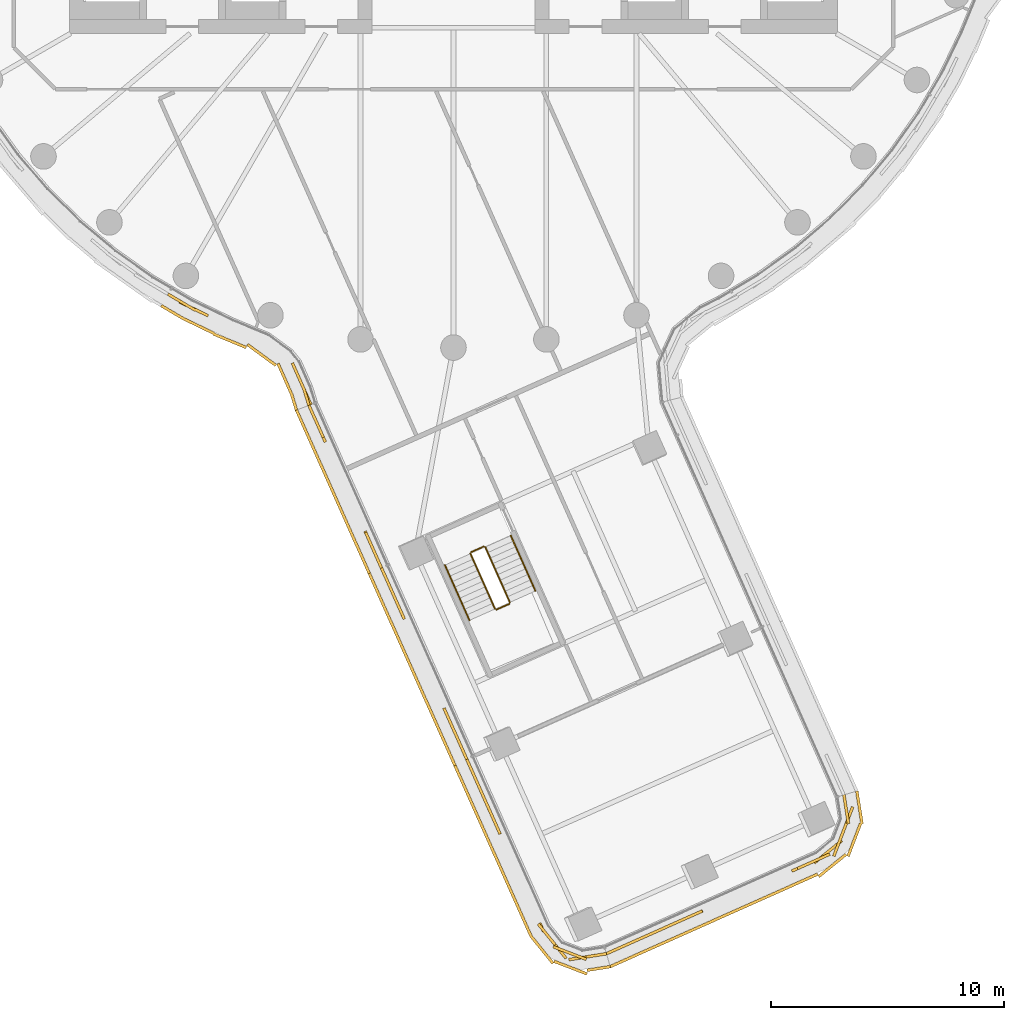
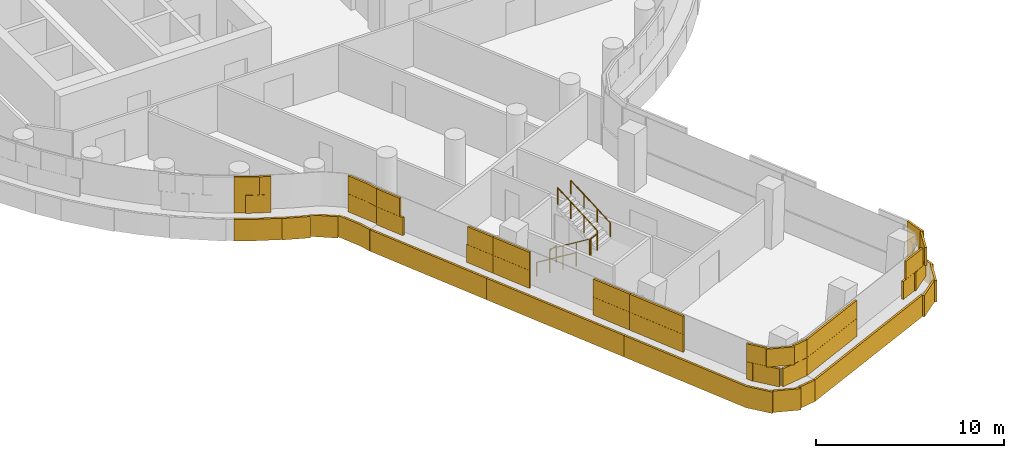
# One storey, part 28 of 35: 6 railings, 5 coverings.
"""IFC4 building model written with IfcOpenShell, lengths in metres."""

from ifc_helpers import new_model, si_unit, direction, frame, origin, origin_2d, place, context, subcontext, project, spatial, rectangle, circle, extrude, material, layer, layer_set, type_object, element, save


model = new_model("IFC4")

# Units and contexts
model_context = context("Model", 3, precision=1e-05, world=origin(), true_north=direction((0.0, 1.0)))
body_context = subcontext(model_context, "Body", "Model", "MODEL_VIEW")
ifc_project = project(units=[si_unit("LENGTHUNIT", "METRE"), si_unit("AREAUNIT", "SQUARE_METRE"), si_unit("VOLUMEUNIT", "CUBIC_METRE"), si_unit("PLANEANGLEUNIT", "RADIAN"), si_unit("MASSUNIT", "GRAM", prefix="KILO")], contexts=[model_context])

# Site, building, storey
site_placement = place(None, origin())
site = spatial("IfcSite", under=ifc_project, at=site_placement, CompositionType="ELEMENT")
building_placement = place(site_placement, origin())
building = spatial("IfcBuilding", under=site, at=building_placement, Name="Tamarind Cross Interchange Tower", CompositionType="ELEMENT")
storey_placement = place(building_placement, frame((0.0, 0.0, 121.0)))
storey = spatial("IfcBuildingStorey", under=building, at=storey_placement, Name="L29", CompositionType="ELEMENT", Elevation=121.0)

# Railings
ifc_material_1 = material(Name="Stair guard")
railing_type_1 = type_object("IfcRailingType", Name="Stair guard", PredefinedType="GUARDRAIL", material=ifc_material_1)
railing_1_placement = place(storey_placement, frame((0.7275390625, -31.858154296875, 0.17041015625)))
element("IfcRailing", 1, at=railing_1_placement, inside=storey, type_object=railing_type_1, Name="L29 ST6 stair guard 1", PredefinedType="GUARDRAIL", context=body_context, shape_type="SweptSolid", body=[
    extrude(circle(Radius=0.02392578125, at=origin_2d()), frame((0.0, 0.0, 1.076171875), z_axis=(0.340565711591, -0.763818924751, 0.548266036045), x_axis=(0.913326899463, 0.407227178264, 0.0)), (0.0, 0.0, 1.0), 3.109130859375),
    extrude(circle(Radius=0.02099609375, at=origin_2d()), origin(), (0.0, 0.0, 1.0), 1.052001953125),
    extrude(circle(Radius=0.02099609375, at=origin_2d()), frame((0.35302734375, -0.79150390625, 0.568115234375)), (0.0, 0.0, 1.0), 1.052001953125),
    extrude(circle(Radius=0.02099609375, at=origin_2d()), frame((0.705810546875, -1.583251953125, 1.136474609375)), (0.0, 0.0, 1.0), 1.052001953125),
    extrude(circle(Radius=0.02099609375, at=origin_2d()), frame((1.058837890625, -2.374755859375, 1.70458984375)), (0.0, 0.0, 1.0), 1.052001953125),
])
railing_2_placement = place(storey_placement, frame((1.852294921875, -34.258056640625, 1.875)))
element("IfcRailing", 2, at=railing_2_placement, inside=storey, type_object=railing_type_1, Name="L29 ST6 stair guard 2", PredefinedType="GUARDRAIL", context=body_context, shape_type="SweptSolid", body=[
    extrude(circle(Radius=0.02392578125, at=origin_2d()), frame((0.0, 0.0, 1.076171875), z_axis=(0.913324379404, 0.407232830193, 0.0), x_axis=(-0.407232830193, 0.913324379404, 0.0)), (0.0, 0.0, 1.0), 0.60009765625),
    extrude(circle(Radius=0.02099609375, at=origin_2d()), origin(), (0.0, 0.0, 1.0), 1.052001953125),
    extrude(circle(Radius=0.02099609375, at=origin_2d()), frame((0.548095703125, 0.244384765625, 0.0)), (0.0, 0.0, 1.0), 1.052001953125),
])
railing_3_placement = place(storey_placement, frame((2.425537109375, -33.94775390625, 2.04541015625)))
element("IfcRailing", 3, at=railing_3_placement, inside=storey, type_object=railing_type_1, Name="L29 ST6 stair guard 3", PredefinedType="GUARDRAIL", context=body_context, shape_type="SweptSolid", body=[
    extrude(circle(Radius=0.02392578125, at=origin_2d()), frame((0.0, 0.0, 1.076171875), z_axis=(-0.340496290961, 0.763839350133, 0.548280697299), x_axis=(-0.913361820343, -0.407148848875, 0.0)), (0.0, 0.0, 1.0), 3.10888671875),
    extrude(circle(Radius=0.02099609375, at=origin_2d()), origin(), (0.0, 0.0, 1.0), 1.052001953125),
    extrude(circle(Radius=0.02099609375, at=origin_2d()), frame((-0.352783203125, 0.79150390625, 0.568115234375)), (0.0, 0.0, 1.0), 1.052001953125),
    extrude(circle(Radius=0.02099609375, at=origin_2d()), frame((-0.705810546875, 1.583251953125, 1.136474609375)), (0.0, 0.0, 1.0), 1.052001953125),
    extrude(circle(Radius=0.02099609375, at=origin_2d()), frame((-1.05859375, 2.374755859375, 1.70458984375)), (0.0, 0.0, 1.0), 1.052001953125),
])
railing_4_placement = place(storey_placement, frame((0.7529296875, -31.792236328125, 0.0)))
element("IfcRailing", 4, at=railing_4_placement, inside=storey, type_object=railing_type_1, Name="L29 ST6 stair guard 4", PredefinedType="GUARDRAIL", context=body_context, shape_type="SweptSolid", body=[
    extrude(circle(Radius=0.02392578125, at=origin_2d()), frame((0.0, 0.0, 1.076171875), z_axis=(0.913256874337, 0.407384193945, 0.0), x_axis=(-0.407384193945, 0.913256874337, 0.0)), (0.0, 0.0, 1.0), 0.599853515625),
    extrude(circle(Radius=0.02099609375, at=origin_2d()), origin(), (0.0, 0.0, 1.0), 1.052001953125),
    extrude(circle(Radius=0.02099609375, at=origin_2d()), frame((0.5478515625, 0.244384765625, 0.0)), (0.0, 0.0, 1.0), 1.052001953125),
])
ifc_material_2 = material(Name="Stair handrail")
railing_type_2 = type_object("IfcRailingType", Name="Stair handrail", PredefinedType="HANDRAIL", material=ifc_material_2)
railing_5_placement = place(storey_placement, frame((-0.368408203125, -32.346923828125, 0.17041015625)))
element("IfcRailing", 5, at=railing_5_placement, inside=storey, type_object=railing_type_2, Name="L29 ST6 stair handrail 1", PredefinedType="HANDRAIL", context=body_context, shape_type="SweptSolid", body=[
    extrude(circle(Radius=0.02392578125, at=origin_2d()), frame((0.0, 0.0, 0.8759765625), z_axis=(0.340516715594, -0.763806636502, 0.548313585858), x_axis=(0.913346252579, 0.407183770428, 0.0)), (0.0, 0.0, 1.0), 3.10888671875),
    extrude(circle(Radius=0.02099609375, at=origin_2d()), origin(), (0.0, 0.0, 1.0), 0.851806640625),
    extrude(circle(Radius=0.02099609375, at=origin_2d()), frame((0.352783203125, -0.79150390625, 0.568115234375)), (0.0, 0.0, 1.0), 0.851806640625),
    extrude(circle(Radius=0.02099609375, at=origin_2d()), frame((0.705810546875, -1.5830078125, 1.136474609375)), (0.0, 0.0, 1.0), 0.851806640625),
    extrude(circle(Radius=0.02099609375, at=origin_2d()), frame((1.05859375, -2.37451171875, 1.70458984375)), (0.0, 0.0, 1.0), 0.851806640625),
])
railing_6_placement = place(storey_placement, frame((3.521484375, -33.458984375, 2.04541015625)))
element("IfcRailing", 6, at=railing_6_placement, inside=storey, type_object=railing_type_2, Name="L29 ST6 stair handrail 2", PredefinedType="HANDRAIL", context=body_context, shape_type="SweptSolid", body=[
    extrude(circle(Radius=0.02392578125, at=origin_2d()), frame((0.0, 0.0, 0.8759765625), z_axis=(-0.340516715594, 0.763806636502, 0.548313585858), x_axis=(-0.913346252579, -0.407183770428, 0.0)), (0.0, 0.0, 1.0), 3.10888671875),
    extrude(circle(Radius=0.02099609375, at=origin_2d()), origin(), (0.0, 0.0, 1.0), 0.851806640625),
    extrude(circle(Radius=0.02099609375, at=origin_2d()), frame((-0.352783203125, 0.79150390625, 0.568115234375)), (0.0, 0.0, 1.0), 0.851806640625),
    extrude(circle(Radius=0.02099609375, at=origin_2d()), frame((-0.705810546875, 1.5830078125, 1.136474609375)), (0.0, 0.0, 1.0), 0.851806640625),
    extrude(circle(Radius=0.02099609375, at=origin_2d()), frame((-1.05859375, 2.37451171875, 1.70458984375)), (0.0, 0.0, 1.0), 0.851806640625),
])

# Coverings
ifc_material_3 = material(Name="Terracotta", Category="masonry")
ifc_layer = layer(ifc_material_3, 0.1201171875)
ifc_layer_set = layer_set([ifc_layer], Name="Terracotta")
covering_type = type_object("IfcCoveringType", Name="Terracotta baguette screen unit", PredefinedType="MOLDING", material=ifc_layer_set)
covering_1_placement = place(storey_placement, origin())
element("IfcCovering", 7, at=covering_1_placement, inside=storey, type_object=covering_type, Name="SCR-L29-02-01", PredefinedType="MOLDING", context=body_context, shape_type="SweptSolid", body=[
    extrude(rectangle(XDim=0.607666015625, YDim=0.1201171875, at=origin_2d()), frame((-12.00732421875, -20.857421875, 1.404052734375), z_axis=(0.0, 0.0, 1.0), x_axis=(0.861248933065, -0.508183308752, 0.0)), (0.0, 0.0, 1.0), 1.1669921875),
    extrude(rectangle(XDim=1.363037109375, YDim=0.1201171875, at=origin_2d()), frame((-11.158203125, -21.335693359375, 1.404052734375), z_axis=(0.0, 0.0, 1.0), x_axis=(0.900272776334, -0.435326231914, 0.0)), (0.0, 0.0, 1.0), 1.1669921875),
    extrude(rectangle(XDim=0.45703125, YDim=0.1201171875, at=origin_2d()), frame((-6.830322265625, -23.875, 1.404052734375), z_axis=(0.0, 0.0, 1.0), x_axis=(0.405841213169, -0.913943603125, 0.0)), (0.0, 0.0, 1.0), 1.1669921875),
    extrude(rectangle(XDim=1.52001953125, YDim=0.1201171875, at=origin_2d()), frame((-6.43505859375, -24.7646484375, 1.404052734375), z_axis=(0.0, 0.0, 1.0), x_axis=(0.405841213169, -0.913943603125, 0.0)), (0.0, 0.0, 1.0), 1.1669921875),
    extrude(rectangle(XDim=1.357666015625, YDim=0.1201171875, at=origin_2d()), frame((-11.684326171875, -21.048095703125, 2.5791015625), z_axis=(0.0, 0.0, 1.0), x_axis=(0.861248933065, -0.508183308752, 0.0)), (0.0, 0.0, 1.0), 1.1669921875),
    extrude(rectangle(XDim=0.613037109375, YDim=0.1201171875, at=origin_2d()), frame((-10.820556640625, -21.4990234375, 2.5791015625), z_axis=(0.0, 0.0, 1.0), x_axis=(0.900272776334, -0.435326231914, 0.0)), (0.0, 0.0, 1.0), 1.1669921875),
    extrude(rectangle(XDim=1.20703125, YDim=0.1201171875, at=origin_2d()), frame((-6.677978515625, -24.2177734375, 2.5791015625), z_axis=(0.0, 0.0, 1.0), x_axis=(0.405841213169, -0.913943603125, 0.0)), (0.0, 0.0, 1.0), 1.1669921875),
    extrude(rectangle(XDim=0.763427734375, YDim=0.1201171875, at=origin_2d()), frame((-6.320556640625, -25.12353515625, 2.5791015625), z_axis=(0.0, 0.0, 1.0), x_axis=(0.294572908666, -0.955629008287, 0.0)), (0.0, 0.0, 1.0), 1.1669921875),
    extrude(rectangle(XDim=1.071533203125, YDim=0.1201171875, at=origin_2d()), frame((-12.095703125, -21.471923828125, 0.00390625), z_axis=(0.0, 0.0, 1.0), x_axis=(0.861248933065, -0.508183308752, 0.0)), (0.0, 0.0, 1.0), 1.39208984375),
    extrude(rectangle(XDim=1.52001953125, YDim=0.1201171875, at=origin_2d()), frame((-10.9677734375, -22.0654296875, 0.00390625), z_axis=(0.0, 0.0, 1.0), x_axis=(0.900272776334, -0.435326231914, 0.0)), (0.0, 0.0, 1.0), 1.39208984375),
    extrude(rectangle(XDim=1.52001953125, YDim=0.1201171875, at=origin_2d()), frame((-9.612060546875, -22.706787109375, 0.00390625), z_axis=(0.0, 0.0, 1.0), x_axis=(0.923842340021, -0.382773210642, 0.0)), (0.0, 0.0, 1.0), 1.39208984375),
    extrude(rectangle(XDim=1.52001953125, YDim=0.1201171875, at=origin_2d()), frame((-8.245849609375, -23.315673828125, 0.00390625), z_axis=(0.0, 0.0, 1.0), x_axis=(0.806658779046, -0.591017439834, 0.0)), (0.0, 0.0, 1.0), 1.39208984375),
    extrude(rectangle(XDim=1.52001953125, YDim=0.1201171875, at=origin_2d()), frame((-7.2353515625, -24.377197265625, 0.00390625), z_axis=(0.0, 0.0, 1.0), x_axis=(0.405841213169, -0.913943603125, 0.0)), (0.0, 0.0, 1.0), 1.39208984375),
    extrude(rectangle(XDim=0.65869140625, YDim=0.1201171875, at=origin_2d()), frame((-6.844970703125, -25.370849609375, 0.00390625), z_axis=(0.0, 0.0, 1.0), x_axis=(0.294572908666, -0.955629008287, 0.0)), (0.0, 0.0, 1.0), 1.39208984375),
])
covering_2_placement = place(storey_placement, origin())
element("IfcCovering", 8, at=covering_2_placement, inside=storey, type_object=covering_type, Name="SCR-L29-03-00", PredefinedType="MOLDING", context=body_context, shape_type="SweptSolid", body=[
    extrude(rectangle(XDim=0.760009765625, YDim=0.1201171875, at=origin_2d()), frame((-6.056884765625, -25.825927734375, 1.404052734375), z_axis=(0.0, 0.0, 1.0), x_axis=(0.407221294835, -0.913329522698, 0.0)), (0.0, 0.0, 1.0), 1.1669921875),
    extrude(rectangle(XDim=0.983642578125, YDim=0.1201171875, at=origin_2d()), frame((-5.7060546875, -26.613037109375, 1.404052734375), z_axis=(0.0, 0.0, 1.0), x_axis=(0.407221294835, -0.913329522698, 0.0)), (0.0, 0.0, 1.0), 1.1669921875),
    extrude(rectangle(XDim=0.83642578125, YDim=0.1201171875, at=origin_2d()), frame((-3.629150390625, -31.27099609375, 1.404052734375), z_axis=(0.0, 0.0, 1.0), x_axis=(0.407221294835, -0.913329522698, 0.0)), (0.0, 0.0, 1.0), 1.1669921875),
    extrude(rectangle(XDim=0.906982421875, YDim=0.1201171875, at=origin_2d()), frame((-3.2783203125, -32.05810546875, 1.404052734375), z_axis=(0.0, 0.0, 1.0), x_axis=(0.407221294835, -0.913329522698, 0.0)), (0.0, 0.0, 1.0), 1.1669921875),
    extrude(rectangle(XDim=1.510009765625, YDim=0.1201171875, at=origin_2d()), frame((-5.904296875, -26.16845703125, 2.5791015625), z_axis=(0.0, 0.0, 1.0), x_axis=(0.407221294835, -0.913329522698, 0.0)), (0.0, 0.0, 1.0), 1.1669921875),
    extrude(rectangle(XDim=1.52001953125, YDim=0.1201171875, at=origin_2d()), frame((-3.4609375, -31.6484375, 2.5791015625), z_axis=(0.0, 0.0, 1.0), x_axis=(0.407221294835, -0.913329522698, 0.0)), (0.0, 0.0, 1.0), 1.1669921875),
    extrude(rectangle(XDim=0.156982421875, YDim=0.1201171875, at=origin_2d()), frame((-3.12548828125, -32.400634765625, 2.5791015625), z_axis=(0.0, 0.0, 1.0), x_axis=(0.407221294835, -0.913329522698, 0.0)), (0.0, 0.0, 1.0), 1.1669921875),
    extrude(rectangle(XDim=0.760009765625, YDim=0.1201171875, at=origin_2d()), frame((-6.59326171875, -26.03271484375, 0.00390625), z_axis=(0.0, 0.0, 1.0), x_axis=(0.407221294835, -0.913329522698, 0.0)), (0.0, 0.0, 1.0), 1.39208984375),
    extrude(rectangle(XDim=1.52001953125, YDim=0.1201171875, at=origin_2d()), frame((-6.13720703125, -27.0556640625, 0.00390625), z_axis=(0.0, 0.0, 1.0), x_axis=(0.407221294835, -0.913329522698, 0.0)), (0.0, 0.0, 1.0), 1.39208984375),
    extrude(rectangle(XDim=1.52001953125, YDim=0.1201171875, at=origin_2d()), frame((-5.5263671875, -28.425537109375, 0.00390625), z_axis=(0.0, 0.0, 1.0), x_axis=(0.407221294835, -0.913329522698, 0.0)), (0.0, 0.0, 1.0), 1.39208984375),
    extrude(rectangle(XDim=1.52001953125, YDim=0.1201171875, at=origin_2d()), frame((-4.91552734375, -29.795654296875, 0.00390625), z_axis=(0.0, 0.0, 1.0), x_axis=(0.407221294835, -0.913329522698, 0.0)), (0.0, 0.0, 1.0), 1.39208984375),
    extrude(rectangle(XDim=1.52001953125, YDim=0.1201171875, at=origin_2d()), frame((-4.3046875, -31.16552734375, 0.00390625), z_axis=(0.0, 0.0, 1.0), x_axis=(0.407221294835, -0.913329522698, 0.0)), (0.0, 0.0, 1.0), 1.39208984375),
    extrude(rectangle(XDim=0.941162109375, YDim=0.1201171875, at=origin_2d()), frame((-3.811767578125, -32.271240234375, 0.00390625), z_axis=(0.0, 0.0, 1.0), x_axis=(0.407221294835, -0.913329522698, 0.0)), (0.0, 0.0, 1.0), 1.39208984375),
])
covering_3_placement = place(storey_placement, origin())
element("IfcCovering", 9, at=covering_3_placement, inside=storey, type_object=covering_type, Name="SCR-L29-03-01", PredefinedType="MOLDING", context=body_context, shape_type="SweptSolid", body=[
    extrude(rectangle(XDim=0.613037109375, YDim=0.1201171875, at=origin_2d()), frame((-2.972900390625, -32.7431640625, 1.404052734375), z_axis=(0.0, 0.0, 1.0), x_axis=(0.407221294835, -0.913329522698, 0.0)), (0.0, 0.0, 1.0), 1.1669921875),
    extrude(rectangle(XDim=1.52001953125, YDim=0.1201171875, at=origin_2d()), frame((-2.544677734375, -33.703369140625, 1.404052734375), z_axis=(0.0, 0.0, 1.0), x_axis=(0.407221294835, -0.913329522698, 0.0)), (0.0, 0.0, 1.0), 1.1669921875),
    extrude(rectangle(XDim=0.310302734375, YDim=0.1201171875, at=origin_2d()), frame((-2.17822265625, -34.525634765625, 1.404052734375), z_axis=(0.0, 0.0, 1.0), x_axis=(0.407221294835, -0.913329522698, 0.0)), (0.0, 0.0, 1.0), 1.1669921875),
    extrude(rectangle(XDim=1.509765625, YDim=0.1201171875, at=origin_2d()), frame((-0.101318359375, -39.18359375, 1.404052734375), z_axis=(0.0, 0.0, 1.0), x_axis=(0.407221294835, -0.913329522698, 0.0)), (0.0, 0.0, 1.0), 1.1669921875),
    extrude(rectangle(XDim=0.913330078125, YDim=0.1201171875, at=origin_2d()), frame((0.387939453125, -40.281005859375, 1.404052734375), z_axis=(0.0, 0.0, 1.0), x_axis=(0.407221294835, -0.913329522698, 0.0)), (0.0, 0.0, 1.0), 1.1669921875),
    extrude(rectangle(XDim=1.363037109375, YDim=0.1201171875, at=origin_2d()), frame((-2.820068359375, -33.085693359375, 2.5791015625), z_axis=(0.0, 0.0, 1.0), x_axis=(0.407221294835, -0.913329522698, 0.0)), (0.0, 0.0, 1.0), 1.1669921875),
    extrude(rectangle(XDim=1.060302734375, YDim=0.1201171875, at=origin_2d()), frame((-2.330810546875, -34.18310546875, 2.5791015625), z_axis=(0.0, 0.0, 1.0), x_axis=(0.407221294835, -0.913329522698, 0.0)), (0.0, 0.0, 1.0), 1.1669921875),
    extrude(rectangle(XDim=0.759765625, YDim=0.1201171875, at=origin_2d()), frame((-0.25390625, -38.841064453125, 2.5791015625), z_axis=(0.0, 0.0, 1.0), x_axis=(0.407221294835, -0.913329522698, 0.0)), (0.0, 0.0, 1.0), 1.1669921875),
    extrude(rectangle(XDim=1.52001953125, YDim=0.1201171875, at=origin_2d()), frame((0.2041015625, -39.868408203125, 2.5791015625), z_axis=(0.0, 0.0, 1.0), x_axis=(0.407221294835, -0.913329522698, 0.0)), (0.0, 0.0, 1.0), 1.1669921875),
    extrude(rectangle(XDim=0.163330078125, YDim=0.1201171875, at=origin_2d()), frame((0.540771484375, -40.62353515625, 2.5791015625), z_axis=(0.0, 0.0, 1.0), x_axis=(0.407221294835, -0.913329522698, 0.0)), (0.0, 0.0, 1.0), 1.1669921875),
    extrude(rectangle(XDim=0.578857421875, YDim=0.1201171875, at=origin_2d()), frame((-3.502197265625, -32.96533203125, 0.00390625), z_axis=(0.0, 0.0, 1.0), x_axis=(0.407221294835, -0.913329522698, 0.0)), (0.0, 0.0, 1.0), 1.39208984375),
    extrude(rectangle(XDim=1.52001953125, YDim=0.1201171875, at=origin_2d()), frame((-3.0830078125, -33.905517578125, 0.00390625), z_axis=(0.0, 0.0, 1.0), x_axis=(0.407221294835, -0.913329522698, 0.0)), (0.0, 0.0, 1.0), 1.39208984375),
    extrude(rectangle(XDim=1.52001953125, YDim=0.1201171875, at=origin_2d()), frame((-2.47216796875, -35.275634765625, 0.00390625), z_axis=(0.0, 0.0, 1.0), x_axis=(0.407221294835, -0.913329522698, 0.0)), (0.0, 0.0, 1.0), 1.39208984375),
    extrude(rectangle(XDim=1.52001953125, YDim=0.1201171875, at=origin_2d()), frame((-1.861328125, -36.6455078125, 0.00390625), z_axis=(0.0, 0.0, 1.0), x_axis=(0.407221294835, -0.913329522698, 0.0)), (0.0, 0.0, 1.0), 1.39208984375),
    extrude(rectangle(XDim=1.52001953125, YDim=0.1201171875, at=origin_2d()), frame((-1.25048828125, -38.015625, 0.00390625), z_axis=(0.0, 0.0, 1.0), x_axis=(0.407221294835, -0.913329522698, 0.0)), (0.0, 0.0, 1.0), 1.39208984375),
    extrude(rectangle(XDim=1.52001953125, YDim=0.1201171875, at=origin_2d()), frame((-0.6396484375, -39.385498046875, 0.00390625), z_axis=(0.0, 0.0, 1.0), x_axis=(0.407221294835, -0.913329522698, 0.0)), (0.0, 0.0, 1.0), 1.39208984375),
    extrude(rectangle(XDim=0.98779296875, YDim=0.1201171875, at=origin_2d()), frame((-0.13720703125, -40.512451171875, 0.00390625), z_axis=(0.0, 0.0, 1.0), x_axis=(0.407221294835, -0.913329522698, 0.0)), (0.0, 0.0, 1.0), 1.39208984375),
])
covering_4_placement = place(storey_placement, origin())
element("IfcCovering", 10, at=covering_4_placement, inside=storey, type_object=covering_type, Name="SCR-L29-03-02", PredefinedType="MOLDING", context=body_context, shape_type="SweptSolid", body=[
    extrude(rectangle(XDim=0.606689453125, YDim=0.1201171875, at=origin_2d()), frame((0.693359375, -40.9658203125, 1.404052734375), z_axis=(0.0, 0.0, 1.0), x_axis=(0.407221294835, -0.913329522698, 0.0)), (0.0, 0.0, 1.0), 1.1669921875),
    extrude(rectangle(XDim=1.52001953125, YDim=0.1201171875, at=origin_2d()), frame((1.120361328125, -41.92333984375, 1.404052734375), z_axis=(0.0, 0.0, 1.0), x_axis=(0.407221294835, -0.913329522698, 0.0)), (0.0, 0.0, 1.0), 1.1669921875),
    extrude(rectangle(XDim=1.425048828125, YDim=0.1201171875, at=origin_2d()), frame((1.7138671875, -43.254638671875, 1.404052734375), z_axis=(0.0, 0.0, 1.0), x_axis=(0.407221294835, -0.913329522698, 0.0)), (0.0, 0.0, 1.0), 1.1669921875),
    extrude(rectangle(XDim=0.39501953125, YDim=0.1201171875, at=origin_2d()), frame((3.790771484375, -47.91259765625, 1.404052734375), z_axis=(0.0, 0.0, 1.0), x_axis=(0.407221294835, -0.913329522698, 0.0)), (0.0, 0.0, 1.0), 1.1669921875),
    extrude(rectangle(XDim=1.52001953125, YDim=0.1201171875, at=origin_2d()), frame((4.363525390625, -48.657470703125, 1.404052734375), z_axis=(0.0, 0.0, 1.0), x_axis=(0.629732640625, -0.776811947212, 0.0)), (0.0, 0.0, 1.0), 1.1669921875),
    extrude(rectangle(XDim=1.52001953125, YDim=0.1201171875, at=origin_2d()), frame((5.707275390625, -49.186767578125, 1.404052734375), z_axis=(0.0, 0.0, 1.0), x_axis=(0.987605200561, 0.156958490768, 0.0)), (0.0, 0.0, 1.0), 1.1669921875),
    extrude(rectangle(XDim=0.136474609375, YDim=0.1201171875, at=origin_2d()), frame((6.510498046875, -49.05908203125, 1.404052734375), z_axis=(0.0, 0.0, 1.0), x_axis=(0.987605200561, 0.156958490768, 0.0)), (0.0, 0.0, 1.0), 1.1669921875),
    extrude(rectangle(XDim=1.356689453125, YDim=0.1201171875, at=origin_2d()), frame((0.84619140625, -41.308349609375, 2.5791015625), z_axis=(0.0, 0.0, 1.0), x_axis=(0.407221294835, -0.913329522698, 0.0)), (0.0, 0.0, 1.0), 1.1669921875),
    extrude(rectangle(XDim=1.52001953125, YDim=0.1201171875, at=origin_2d()), frame((1.42578125, -42.6083984375, 2.5791015625), z_axis=(0.0, 0.0, 1.0), x_axis=(0.407221294835, -0.913329522698, 0.0)), (0.0, 0.0, 1.0), 1.1669921875),
    extrude(rectangle(XDim=0.675048828125, YDim=0.1201171875, at=origin_2d()), frame((1.866455078125, -43.596923828125, 2.5791015625), z_axis=(0.0, 0.0, 1.0), x_axis=(0.407221294835, -0.913329522698, 0.0)), (0.0, 0.0, 1.0), 1.1669921875),
    extrude(rectangle(XDim=1.14501953125, YDim=0.1201171875, at=origin_2d()), frame((4.006103515625, -48.216552734375, 2.5791015625), z_axis=(0.0, 0.0, 1.0), x_axis=(0.629732640625, -0.776811947212, 0.0)), (0.0, 0.0, 1.0), 1.1669921875),
    extrude(rectangle(XDim=1.52001953125, YDim=0.1201171875, at=origin_2d()), frame((4.996337890625, -49.018798828125, 2.5791015625), z_axis=(0.0, 0.0, 1.0), x_axis=(0.93377043798, -0.357872559936, 0.0)), (0.0, 0.0, 1.0), 1.1669921875),
    extrude(rectangle(XDim=0.886474609375, YDim=0.1201171875, at=origin_2d()), frame((6.14013671875, -49.1181640625, 2.5791015625), z_axis=(0.0, 0.0, 1.0), x_axis=(0.987605200561, 0.156958490768, 0.0)), (0.0, 0.0, 1.0), 1.1669921875),
    extrude(rectangle(XDim=0.5322265625, YDim=0.1201171875, at=origin_2d()), frame((0.17236328125, -41.20654296875, 0.00390625), z_axis=(0.0, 0.0, 1.0), x_axis=(0.407221294835, -0.913329522698, 0.0)), (0.0, 0.0, 1.0), 1.39208984375),
    extrude(rectangle(XDim=1.52001953125, YDim=0.1201171875, at=origin_2d()), frame((0.58203125, -42.12548828125, 0.00390625), z_axis=(0.0, 0.0, 1.0), x_axis=(0.407221294835, -0.913329522698, 0.0)), (0.0, 0.0, 1.0), 1.39208984375),
    extrude(rectangle(XDim=1.52001953125, YDim=0.1201171875, at=origin_2d()), frame((1.19287109375, -43.49560546875, 0.00390625), z_axis=(0.0, 0.0, 1.0), x_axis=(0.407221294835, -0.913329522698, 0.0)), (0.0, 0.0, 1.0), 1.39208984375),
    extrude(rectangle(XDim=1.52001953125, YDim=0.1201171875, at=origin_2d()), frame((1.8037109375, -44.865478515625, 0.00390625), z_axis=(0.0, 0.0, 1.0), x_axis=(0.407221294835, -0.913329522698, 0.0)), (0.0, 0.0, 1.0), 1.39208984375),
    extrude(rectangle(XDim=1.52001953125, YDim=0.1201171875, at=origin_2d()), frame((2.41455078125, -46.235595703125, 0.00390625), z_axis=(0.0, 0.0, 1.0), x_axis=(0.407221294835, -0.913329522698, 0.0)), (0.0, 0.0, 1.0), 1.39208984375),
    extrude(rectangle(XDim=1.52001953125, YDim=0.1201171875, at=origin_2d()), frame((3.025390625, -47.60546875, 0.00390625), z_axis=(0.0, 0.0, 1.0), x_axis=(0.407221294835, -0.913329522698, 0.0)), (0.0, 0.0, 1.0), 1.39208984375),
    extrude(rectangle(XDim=1.52001953125, YDim=0.1201171875, at=origin_2d()), frame((3.800537109375, -48.87451171875, 0.00390625), z_axis=(0.0, 0.0, 1.0), x_axis=(0.629732640625, -0.776811947212, 0.0)), (0.0, 0.0, 1.0), 1.39208984375),
    extrude(rectangle(XDim=1.52001953125, YDim=0.1201171875, at=origin_2d()), frame((5.03076171875, -49.646484375, 0.00390625), z_axis=(0.0, 0.0, 1.0), x_axis=(0.93377043798, -0.357872559936, 0.0)), (0.0, 0.0, 1.0), 1.39208984375),
    extrude(rectangle(XDim=1.012939453125, YDim=0.1201171875, at=origin_2d()), frame((6.2373046875, -49.683837890625, 0.00390625), z_axis=(0.0, 0.0, 1.0), x_axis=(0.987605200561, 0.156958490768, 0.0)), (0.0, 0.0, 1.0), 1.39208984375),
])
covering_5_placement = place(storey_placement, origin())
element("IfcCovering", 11, at=covering_5_placement, inside=storey, type_object=covering_type, Name="SCR-L29-04-00", PredefinedType="MOLDING", context=body_context, shape_type="SweptSolid", body=[
    extrude(rectangle(XDim=0.760009765625, YDim=0.1201171875, at=origin_2d()), frame((6.915283203125, -48.896484375, 1.404052734375), z_axis=(0.0, 0.0, 1.0), x_axis=(0.913329522698, 0.407221294835, 0.0)), (0.0, 0.0, 1.0), 1.1669921875),
    extrude(rectangle(XDim=1.52001953125, YDim=0.1201171875, at=origin_2d()), frame((7.94287109375, -48.4384765625, 1.404052734375), z_axis=(0.0, 0.0, 1.0), x_axis=(0.913329522698, 0.407221294835, 0.0)), (0.0, 0.0, 1.0), 1.1669921875),
    extrude(rectangle(XDim=1.52001953125, YDim=0.1201171875, at=origin_2d()), frame((9.312744140625, -47.82763671875, 1.404052734375), z_axis=(0.0, 0.0, 1.0), x_axis=(0.913329522698, 0.407221294835, 0.0)), (0.0, 0.0, 1.0), 1.1669921875),
    extrude(rectangle(XDim=0.784912109375, YDim=0.1201171875, at=origin_2d()), frame((10.3515625, -47.364501953125, 1.404052734375), z_axis=(0.0, 0.0, 1.0), x_axis=(0.913329522698, 0.407221294835, 0.0)), (0.0, 0.0, 1.0), 1.1669921875),
    extrude(rectangle(XDim=1.03515625, YDim=0.1201171875, at=origin_2d()), frame((15.009765625, -45.28759765625, 1.404052734375), z_axis=(0.0, 0.0, 1.0), x_axis=(0.913329522698, 0.407221294835, 0.0)), (0.0, 0.0, 1.0), 1.1669921875),
    extrude(rectangle(XDim=1.52001953125, YDim=0.1201171875, at=origin_2d()), frame((16.097900390625, -44.66748046875, 1.404052734375), z_axis=(0.0, 0.0, 1.0), x_axis=(0.776811947212, 0.629732640625, 0.0)), (0.0, 0.0, 1.0), 1.1669921875),
    extrude(rectangle(XDim=1.52001953125, YDim=0.1201171875, at=origin_2d()), frame((16.8837890625, -43.44775390625, 1.404052734375), z_axis=(0.0, 0.0, 1.0), x_axis=(0.357872559936, 0.93377043798, 0.0)), (0.0, 0.0, 1.0), 1.1669921875),
    extrude(rectangle(XDim=0.509521484375, YDim=0.1201171875, at=origin_2d()), frame((16.81884765625, -42.469970703125, 1.404052734375), z_axis=(0.0, 0.0, 1.0), x_axis=(-0.156958490768, 0.987605200561, 0.0)), (0.0, 0.0, 1.0), 1.1669921875),
    extrude(rectangle(XDim=1.510009765625, YDim=0.1201171875, at=origin_2d()), frame((7.2578125, -48.743896484375, 2.5791015625), z_axis=(0.0, 0.0, 1.0), x_axis=(0.913329522698, 0.407221294835, 0.0)), (0.0, 0.0, 1.0), 1.1669921875),
    extrude(rectangle(XDim=1.52001953125, YDim=0.1201171875, at=origin_2d()), frame((8.6279296875, -48.133056640625, 2.5791015625), z_axis=(0.0, 0.0, 1.0), x_axis=(0.913329522698, 0.407221294835, 0.0)), (0.0, 0.0, 1.0), 1.1669921875),
    extrude(rectangle(XDim=1.52001953125, YDim=0.1201171875, at=origin_2d()), frame((9.997802734375, -47.522216796875, 2.5791015625), z_axis=(0.0, 0.0, 1.0), x_axis=(0.913329522698, 0.407221294835, 0.0)), (0.0, 0.0, 1.0), 1.1669921875),
    extrude(rectangle(XDim=1.52001953125, YDim=0.1201171875, at=origin_2d()), frame((15.477783203125, -45.078857421875, 2.5791015625), z_axis=(0.0, 0.0, 1.0), x_axis=(0.913329522698, 0.407221294835, 0.0)), (0.0, 0.0, 1.0), 1.1669921875),
    extrude(rectangle(XDim=1.52001953125, YDim=0.1201171875, at=origin_2d()), frame((16.615478515625, -44.14794921875, 2.5791015625), z_axis=(0.0, 0.0, 1.0), x_axis=(0.357872559936, 0.93377043798, 0.0)), (0.0, 0.0, 1.0), 1.1669921875),
    extrude(rectangle(XDim=1.259521484375, YDim=0.1201171875, at=origin_2d()), frame((16.877685546875, -42.84033203125, 2.5791015625), z_axis=(0.0, 0.0, 1.0), x_axis=(-0.156958490768, 0.987605200561, 0.0)), (0.0, 0.0, 1.0), 1.1669921875),
    extrude(rectangle(XDim=0.760009765625, YDim=0.1201171875, at=origin_2d()), frame((7.084716796875, -49.449462890625, 0.00390625), z_axis=(0.0, 0.0, 1.0), x_axis=(0.913329522698, 0.407221294835, 0.0)), (0.0, 0.0, 1.0), 1.39208984375),
    extrude(rectangle(XDim=1.52001953125, YDim=0.1201171875, at=origin_2d()), frame((8.107666015625, -48.993408203125, 0.00390625), z_axis=(0.0, 0.0, 1.0), x_axis=(0.913329522698, 0.407221294835, 0.0)), (0.0, 0.0, 1.0), 1.39208984375),
    extrude(rectangle(XDim=1.52001953125, YDim=0.1201171875, at=origin_2d()), frame((9.4775390625, -48.382568359375, 0.00390625), z_axis=(0.0, 0.0, 1.0), x_axis=(0.913329522698, 0.407221294835, 0.0)), (0.0, 0.0, 1.0), 1.39208984375),
    extrude(rectangle(XDim=1.52001953125, YDim=0.1201171875, at=origin_2d()), frame((10.84765625, -47.771728515625, 0.00390625), z_axis=(0.0, 0.0, 1.0), x_axis=(0.913329522698, 0.407221294835, 0.0)), (0.0, 0.0, 1.0), 1.39208984375),
    extrude(rectangle(XDim=1.52001953125, YDim=0.1201171875, at=origin_2d()), frame((12.217529296875, -47.160888671875, 0.00390625), z_axis=(0.0, 0.0, 1.0), x_axis=(0.913329522698, 0.407221294835, 0.0)), (0.0, 0.0, 1.0), 1.39208984375),
    extrude(rectangle(XDim=1.52001953125, YDim=0.1201171875, at=origin_2d()), frame((13.587646484375, -46.550048828125, 0.00390625), z_axis=(0.0, 0.0, 1.0), x_axis=(0.913329522698, 0.407221294835, 0.0)), (0.0, 0.0, 1.0), 1.39208984375),
    extrude(rectangle(XDim=1.52001953125, YDim=0.1201171875, at=origin_2d()), frame((14.95751953125, -45.939208984375, 0.00390625), z_axis=(0.0, 0.0, 1.0), x_axis=(0.913329522698, 0.407221294835, 0.0)), (0.0, 0.0, 1.0), 1.39208984375),
    extrude(rectangle(XDim=1.52001953125, YDim=0.1201171875, at=origin_2d()), frame((16.283203125, -45.256103515625, 0.00390625), z_axis=(0.0, 0.0, 1.0), x_axis=(0.776811947212, 0.629732640625, 0.0)), (0.0, 0.0, 1.0), 1.39208984375),
    extrude(rectangle(XDim=1.52001953125, YDim=0.1201171875, at=origin_2d()), frame((17.228515625, -44.152099609375, 0.00390625), z_axis=(0.0, 0.0, 1.0), x_axis=(0.357872559936, 0.93377043798, 0.0)), (0.0, 0.0, 1.0), 1.39208984375),
    extrude(rectangle(XDim=1.426513671875, YDim=0.1201171875, at=origin_2d()), frame((17.446533203125, -42.763427734375, 0.00390625), z_axis=(0.0, 0.0, 1.0), x_axis=(-0.156958490768, 0.987605200561, 0.0)), (0.0, 0.0, 1.0), 1.39208984375),
])

save(model, "model.ifc")
